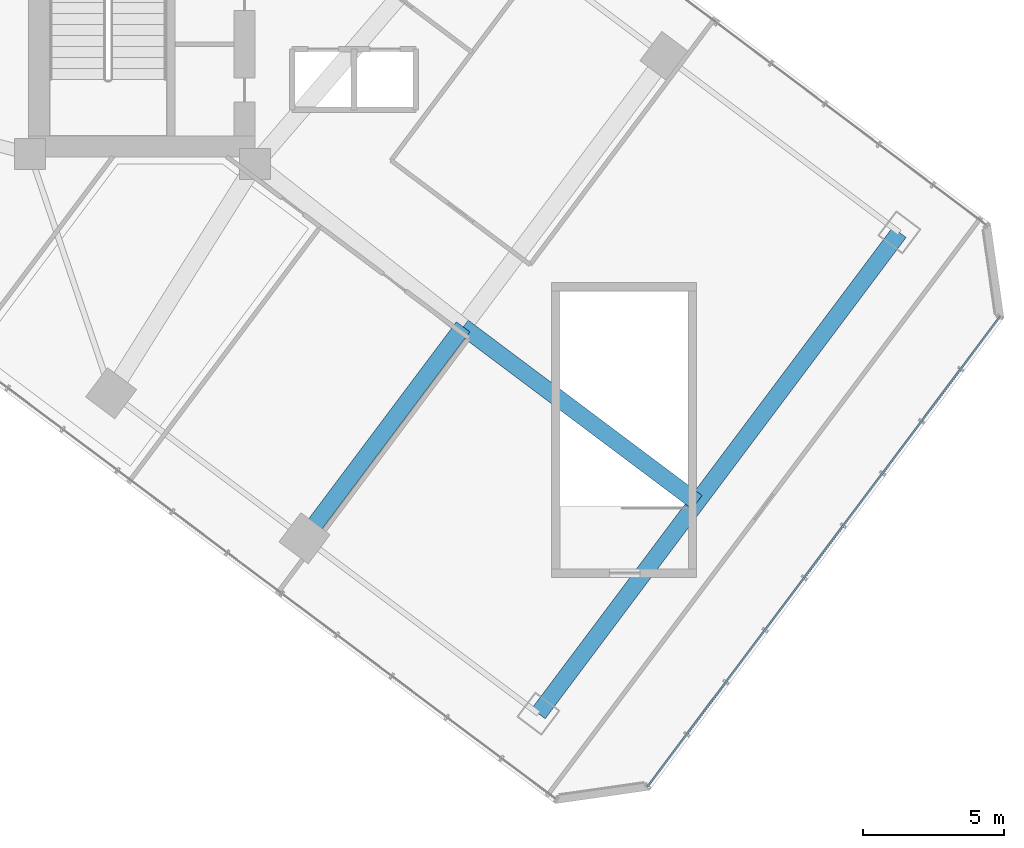
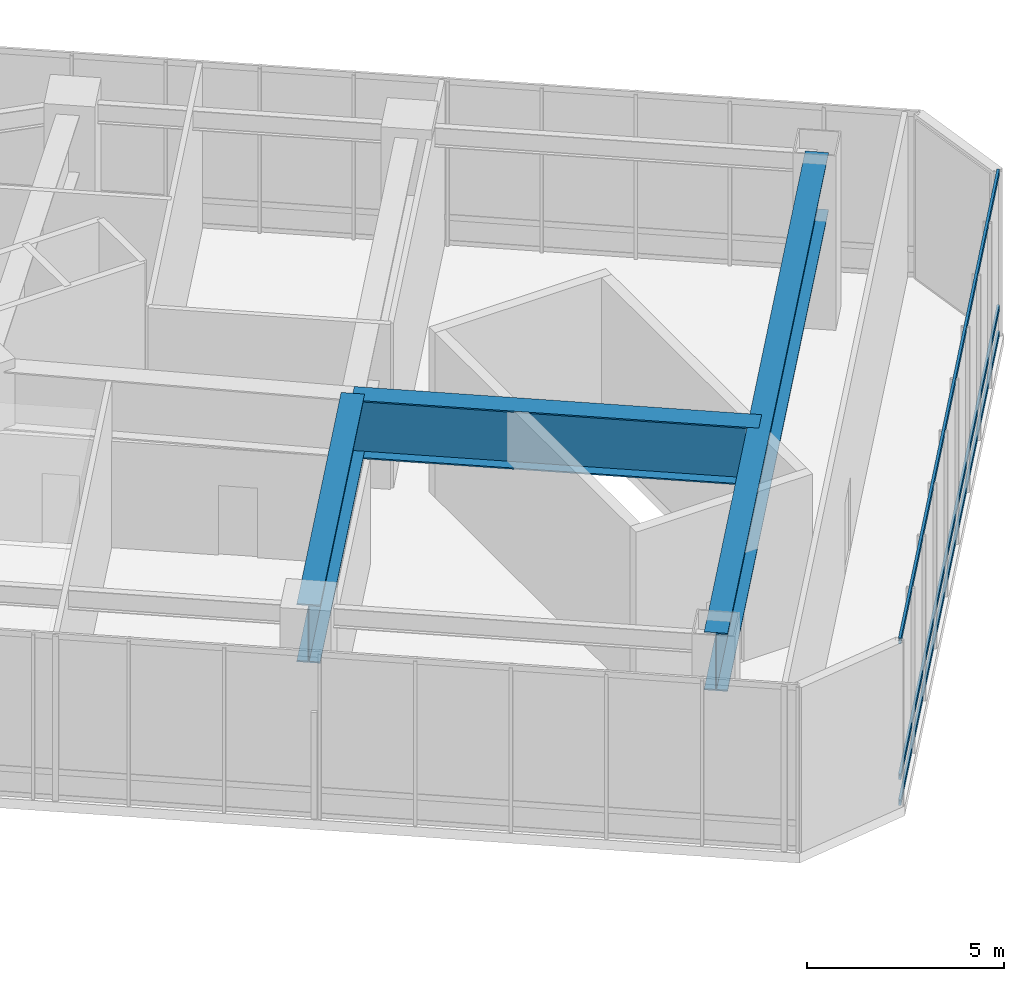
# One storey, part 11 of 38: 3 beams, 3 members, 1 element without a shape of its own.
"""IFC4 building model written with IfcOpenShell, lengths in metres."""

import ifcopenshell
import ifcopenshell.guid

model = None  # the IFC model being written
_history = None  # IfcOwnerHistory: only IFC2X3 demands one
_inside = {}  # id of a spatial element -> (the spatial element, [elements in it])
_under = {}  # id of a project, library or spatial element -> (it, [spatial elements below it])
_declared = {}  # id of a project -> (the project, [libraries it declares])
_typed = {}  # id of a type object -> (the type object, [elements of that type])
_made_of = {}  # id of a material, layer set ... -> (it, [elements and type objects made of it])


def new_model(schema):
    """Start an empty IFC model of exactly this schema.

    Asked for "IFC4X3", IfcOpenShell would pick the latest addendum, in which some entities
    have other attributes; the version numbers below select the first issue.
    IFC2X3 requires an IfcOwnerHistory on every rooted entity: one is made here for all.
    """
    global model, _history
    if schema == "IFC4X3":
        model = ifcopenshell.file(schema_version=(4, 3, 0, 0))
    else:
        model = ifcopenshell.file(schema=schema)
    _inside.clear()
    _under.clear()
    _declared.clear()
    _typed.clear()
    _made_of.clear()
    _history = None
    if model.schema == "IFC2X3":
        org = make("IfcOrganization", Name="unknown")
        user = make(
            "IfcPersonAndOrganization",
            ThePerson=make("IfcPerson", FamilyName="unknown"),
            TheOrganization=org,
        )
        app = make(
            "IfcApplication",
            ApplicationDeveloper=org,
            Version="unknown",
            ApplicationFullName="unknown",
            ApplicationIdentifier="unknown",
        )
        _history = make(
            "IfcOwnerHistory",
            OwningUser=user,
            OwningApplication=app,
            ChangeAction="ADDED",
            CreationDate=0,
        )
    return model


def make(cls, **values):
    """One entity of the class cls with the attributes given. An attribute that is None is left unset."""
    return model.create_entity(
        cls, **{name: value for name, value in values.items() if value is not None}
    )


def rooted(cls, **values):
    """An entity with a GlobalId (a new one), such as an element, a storey or a relation."""
    return make(cls, GlobalId=ifcopenshell.guid.new(), OwnerHistory=_history, **values)


def si_unit(unit_type, name, prefix=None):
    """IfcSIUnit, for example si_unit("LENGTHUNIT", "METRE", prefix="MILLI")."""
    return make("IfcSIUnit", UnitType=unit_type, Prefix=prefix, Name=name)


def assignment(units):
    """IfcUnitAssignment: the units of a project."""
    return None if units is None else make("IfcUnitAssignment", Units=units)


def point(xyz):
    """IfcCartesianPoint."""
    return None if xyz is None else make("IfcCartesianPoint", Coordinates=xyz)


def direction(xyz):
    """IfcDirection."""
    return None if xyz is None else make("IfcDirection", DirectionRatios=xyz)


def frame(location, z_axis=None, x_axis=None):
    """IfcAxis2Placement3D, a coordinate frame: its origin and axes. An axis left out is left unset."""
    return make(
        "IfcAxis2Placement3D",
        Location=point(location),
        Axis=direction(z_axis),
        RefDirection=direction(x_axis),
    )


def frame_2d(location, x_axis=None):
    """IfcAxis2Placement2D, a coordinate frame in the plane: its origin and x axis."""
    return make(
        "IfcAxis2Placement2D", Location=point(location), RefDirection=direction(x_axis)
    )


def origin():
    """The frame at (0, 0, 0) with its axes left unset."""
    return frame((0.0, 0.0, 0.0))


def origin_2d():
    """The frame at (0, 0) in the plane with its x axis left unset."""
    return frame_2d((0.0, 0.0))


def place(relative_to, where):
    """IfcLocalPlacement: puts the frame where relative to a parent placement (None: the world)."""
    return make(
        "IfcLocalPlacement", PlacementRelTo=relative_to, RelativePlacement=where
    )


def context(
    kind, dimensions, precision=None, world=None, true_north=None, identifier=None
):
    """IfcGeometricRepresentationContext, for example the 3D "Model" context."""
    return make(
        "IfcGeometricRepresentationContext",
        ContextIdentifier=identifier,
        ContextType=kind,
        CoordinateSpaceDimension=dimensions,
        Precision=precision,
        WorldCoordinateSystem=world,
        TrueNorth=true_north,
    )


def subcontext(parent, identifier, kind, view, scale=None):
    """IfcGeometricRepresentationSubContext, for example "Body" below "Model"."""
    return make(
        "IfcGeometricRepresentationSubContext",
        ContextIdentifier=identifier,
        ContextType=kind,
        ParentContext=parent,
        TargetScale=scale,
        TargetView=view,
    )


def project(units=None, contexts=None):
    """IfcProject with its units and contexts."""
    return rooted(
        "IfcProject",
        Name="project",
        RepresentationContexts=contexts,
        UnitsInContext=assignment(units),
    )


def spatial(cls, under=None, at=None, **own):
    """A site, building, storey or space (cls), placed at a placement, below another one or the project."""
    s = rooted(cls, ObjectPlacement=at, **own)
    if under is not None:
        _under.setdefault(under.id(), (under, []))[1].append(s)
    return s


def profile(cls, at=None, kind="AREA", **sizes):
    """A parametric profile (cls). Its sizes go by their IFC names, for example OverallWidth=200.0."""
    return make(cls, ProfileType=kind, Position=at, **sizes)


def hollow_rectangle(**sizes):
    """IfcRectangleHollowProfileDef."""
    return profile("IfcRectangleHollowProfileDef", **sizes)


def i_section(**sizes):
    """IfcIShapeProfileDef."""
    return profile("IfcIShapeProfileDef", **sizes)


def extrude(swept, where, along, depth):
    """IfcExtrudedAreaSolid: the profile swept, set in the frame where, extruded along a direction by depth."""
    return make(
        "IfcExtrudedAreaSolid",
        SweptArea=swept,
        Position=where,
        ExtrudedDirection=direction(along),
        Depth=depth,
    )


def shape(context_of_items, identifier, shape_type, items):
    """IfcShapeRepresentation: the items that make up one representation, for example the "Body"."""
    return make(
        "IfcShapeRepresentation",
        ContextOfItems=context_of_items,
        RepresentationIdentifier=identifier,
        RepresentationType=shape_type,
        Items=items,
    )


def material(Name=None, Category=None):
    """IfcMaterial."""
    return make("IfcMaterial", Name=Name, Category=Category)


def layer(
    of_material, thickness, ventilated=None, Name=None, Category=None, Priority=None
):
    """IfcMaterialLayer: one layer of a wall or slab, of a material (None: an air gap)."""
    return make(
        "IfcMaterialLayer",
        Material=of_material,
        LayerThickness=thickness,
        IsVentilated=ventilated,
        Name=Name,
        Category=Category,
        Priority=Priority,
    )


def layer_set(layers, Name=None):
    """IfcMaterialLayerSet."""
    return make("IfcMaterialLayerSet", MaterialLayers=layers, LayerSetName=Name)


def material_profile(
    of_material, cross_section, Name=None, Category=None, Priority=None
):
    """IfcMaterialProfile: a cross section and its material."""
    return make(
        "IfcMaterialProfile",
        Name=Name,
        Material=of_material,
        Profile=cross_section,
        Priority=Priority,
        Category=Category,
    )


def profile_set(profiles, Name=None, composite=None):
    """IfcMaterialProfileSet."""
    return make(
        "IfcMaterialProfileSet",
        Name=Name,
        MaterialProfiles=profiles,
        CompositeProfile=composite,
    )


def made_of(thing, what):
    """Note that an element or type object is made of a material, layer set ...; save() writes the relation."""
    if what is not None:
        _made_of.setdefault(what.id(), (what, []))[1].append(thing)
    return thing


def type_object(cls, material=None, **own):
    """A type object (cls), such as IfcWallType, which elements share."""
    return made_of(rooted(cls, **own), material)


def element(
    cls,
    number,
    at=None,
    inside=None,
    cuts=None,
    type_object=None,
    material=None,
    context=None,
    identifier="Body",
    shape_type=None,
    held_by="IfcProductDefinitionShape",
    body=None,
    shapes=None,
    **own,
):
    """One element of the class cls, such as IfcWall. Its Tag is "e" and its number.

    at: its placement. inside: the storey or other place that contains it. cuts: it is an
    opening in that element (IfcRelVoidsElement). A single representation is given by context,
    identifier, shape_type and body (its items); several are given by shapes. held_by: the class
    of the entity that holds the representations. save() writes the other relations.
    """
    e = rooted(cls, Tag="e%d" % number, ObjectPlacement=at, **own)
    if body is not None:
        shapes = [shape(context, identifier, shape_type, body)]
    if shapes is not None:
        e.Representation = make(held_by, Representations=shapes)
    if inside is not None:
        _inside.setdefault(inside.id(), (inside, []))[1].append(e)
    if cuts is not None:
        rooted(
            "IfcRelVoidsElement", RelatingBuildingElement=cuts, RelatedOpeningElement=e
        )
    if type_object is not None:
        _typed.setdefault(type_object.id(), (type_object, []))[1].append(e)
    return made_of(e, material)


def aggregate(whole, parts):
    """IfcRelAggregates: a whole, such as a stair, and the parts it consists of."""
    return rooted("IfcRelAggregates", RelatingObject=whole, RelatedObjects=parts)


def save(model, path):
    """Write the relations noted so far, then the file.

    IfcRelAggregates (storeys below a building ...), IfcRelContainedInSpatialStructure (elements
    in a storey), IfcRelDefinesByType, IfcRelAssociatesMaterial and IfcRelDeclares: one each for
    every whole, place, type object, material and project.
    """
    for whole, parts in _under.values():
        aggregate(whole, parts)
    for where, things in _inside.values():
        rooted(
            "IfcRelContainedInSpatialStructure",
            RelatedElements=things,
            RelatingStructure=where,
        )
    for kind, things in _typed.values():
        rooted("IfcRelDefinesByType", RelatedObjects=things, RelatingType=kind)
    for what, things in _made_of.values():
        rooted("IfcRelAssociatesMaterial", RelatedObjects=things, RelatingMaterial=what)
    for by, libraries in _declared.values():
        rooted("IfcRelDeclares", RelatingContext=by, RelatedDefinitions=libraries)
    model.write(path)


model = new_model("IFC4")

# Units and contexts
model_context = context("Model", 3, precision=1e-05, world=origin(), true_north=direction((0.0, 1.0)))
body_context = subcontext(model_context, "Body", "Model", "MODEL_VIEW")
ifc_project = project(units=[si_unit("LENGTHUNIT", "METRE"), si_unit("AREAUNIT", "SQUARE_METRE"), si_unit("VOLUMEUNIT", "CUBIC_METRE"), si_unit("PLANEANGLEUNIT", "RADIAN"), si_unit("MASSUNIT", "GRAM", prefix="KILO")], contexts=[model_context])

# Site, building, storey
site_placement = place(None, origin())
site = spatial("IfcSite", under=ifc_project, at=site_placement, CompositionType="ELEMENT")
building_placement = place(site_placement, origin())
building = spatial("IfcBuilding", under=site, at=building_placement, Name="Hatsunagi Terrace Concourse", CompositionType="ELEMENT")
storey_placement = place(building_placement, frame((0.0, 0.0, 21.60009765625)))
storey = spatial("IfcBuildingStorey", under=building, at=storey_placement, Name="L05", CompositionType="ELEMENT", Elevation=21.60009765625)

# Curtain wall, members
ifc_material_1 = material(Name="Anodised Aluminium Alloy 6063-T5", Category="aluminium")
ifc_layer = layer(ifc_material_1, 0.199951171875)
ifc_layer_set = layer_set([ifc_layer], Name="PodiumStorefront_CW01")
curtain_wall_type = type_object("IfcCurtainWallType", Name="PodiumStorefront_CW01", PredefinedType="NOTDEFINED", material=ifc_layer_set)
curtain_wall_placement = place(storey_placement, origin())
curtain_wall = element("IfcCurtainWall", 1, at=curtain_wall_placement, inside=storey, type_object=curtain_wall_type, Name="Unitised Curtain Wall CW-01 CW-L05-03", PredefinedType="NOTDEFINED")
ifc_material_2 = material(Name="Anodised Aluminium Alloy 6063-T5", Category="aluminium")
ifc_material_profile_1 = material_profile(ifc_material_2, hollow_rectangle(XDim=0.070068359375, YDim=0.179931640625, WallThickness=0.00390625, at=origin_2d()), Name="ALU-TRN-180x70x4")
ifc_profile_set_1 = profile_set([ifc_material_profile_1], Name="Anodised Aluminium Alloy 6063-T5")
member_type = type_object("IfcMemberType", Name="CurtainWallTransom_Heavy_180x70", PredefinedType="USERDEFINED", material=ifc_profile_set_1)
member_1_placement = place(storey_placement, frame((70.29296875, 18.758056640625, 0.0498046875), z_axis=(-0.599970072971, -0.800022444397, 0.0), x_axis=(0.800022444397, -0.599970072971, 0.0)))
member_1 = element("IfcMember", 2, at=member_1_placement, type_object=member_type, Name="Curtain Wall Transom TRN-01", ObjectType="TRANSOM", PredefinedType="USERDEFINED", context=body_context, shape_type="SweptSolid", body=[
    extrude(hollow_rectangle(XDim=0.070068359375, YDim=0.179931640625, WallThickness=0.00390625, at=origin_2d()), origin(), (0.0, 0.0, 1.0), 20.884521484375),
])
member_2_placement = place(storey_placement, frame((70.29296875, 18.758056640625, 0.849853515625), z_axis=(-0.599970072971, -0.800022444397, 0.0), x_axis=(0.800022444397, -0.599970072971, 0.0)))
member_2 = element("IfcMember", 3, at=member_2_placement, type_object=member_type, Name="Curtain Wall Transom TRN-01", ObjectType="TRANSOM", PredefinedType="USERDEFINED", context=body_context, shape_type="SweptSolid", body=[
    extrude(hollow_rectangle(XDim=0.070068359375, YDim=0.179931640625, WallThickness=0.00390625, at=origin_2d()), origin(), (0.0, 0.0, 1.0), 20.884521484375),
])
member_3_placement = place(storey_placement, frame((70.29296875, 18.758056640625, 5.0498046875), z_axis=(-0.599970072971, -0.800022444397, 0.0), x_axis=(0.800022444397, -0.599970072971, 0.0)))
member_3 = element("IfcMember", 4, at=member_3_placement, type_object=member_type, Name="Curtain Wall Transom TRN-01", ObjectType="TRANSOM", PredefinedType="USERDEFINED", context=body_context, shape_type="SweptSolid", body=[
    extrude(hollow_rectangle(XDim=0.070068359375, YDim=0.179931640625, WallThickness=0.00390625, at=origin_2d()), origin(), (0.0, 0.0, 1.0), 20.884521484375),
])
aggregate(curtain_wall, [member_1, member_2, member_3])

# Beams
ifc_material_3 = material(Name="Steel SN490C", Category="steel")
ifc_material_profile_2 = material_profile(ifc_material_3, i_section(OverallWidth=0.60009765625, OverallDepth=1.800048828125, WebThickness=0.031982421875, FlangeThickness=0.0400390625, at=origin_2d()), Name="BH-1800x600x32x40")
ifc_profile_set_2 = profile_set([ifc_material_profile_2], Name="Steel SN490C")
beam_type = type_object("IfcBeamType", Name="TransferGirder_BH_1800x600x32x40", PredefinedType="USERDEFINED", material=ifc_profile_set_2)
beam_1_placement = place(storey_placement, frame((45.56005859375, 10.8798828125, 4.199951171875), z_axis=(0.599991688754, 0.800006233367, 0.0), x_axis=(-0.800006233367, 0.599991688754, 0.0)))
element("IfcBeam", 5, at=beam_1_placement, inside=storey, type_object=beam_type, Name="Transfer girder TG-01 TG-L05-SE-2A", ObjectType="TRANSFER_GIRDER", PredefinedType="USERDEFINED", context=body_context, shape_type="SweptSolid", body=[
    extrude(i_section(OverallWidth=0.60009765625, OverallDepth=1.800048828125, WebThickness=0.031982421875, FlangeThickness=0.0400390625, at=origin_2d()), origin(), (0.0, 0.0, 1.0), 9.39990234375),
])
beam_2_placement = place(storey_placement, frame((51.199951171875, 18.39990234375, 4.199951171875), z_axis=(0.800002816985, -0.599996244001, 0.0), x_axis=(0.599996244001, 0.800002816985, 0.0)))
element("IfcBeam", 6, at=beam_2_placement, inside=storey, type_object=beam_type, Name="Transfer girder TG-01 BM-L05-SE-M3", ObjectType="TRANSFER_GIRDER", PredefinedType="USERDEFINED", context=body_context, shape_type="SweptSolid", body=[
    extrude(i_section(OverallWidth=0.60009765625, OverallDepth=1.800048828125, WebThickness=0.031982421875, FlangeThickness=0.0400390625, at=origin_2d()), origin(), (0.0, 0.0, 1.0), 10.400146484375),
])
beam_3_placement = place(storey_placement, frame((53.8798828125, 4.639892578125, 4.199951171875), z_axis=(0.6, 0.8, 0.0), x_axis=(-0.8, 0.6, 0.0)))
element("IfcBeam", 7, at=beam_3_placement, inside=storey, type_object=beam_type, Name="Transfer girder TG-01 TG-L05-SE-3", ObjectType="TRANSFER_GIRDER", PredefinedType="USERDEFINED", context=body_context, shape_type="SweptSolid", body=[
    extrude(i_section(OverallWidth=0.60009765625, OverallDepth=1.800048828125, WebThickness=0.031982421875, FlangeThickness=0.0400390625, at=origin_2d()), origin(), (0.0, 0.0, 1.0), 21.400146484375),
])

save(model, "model.ifc")
